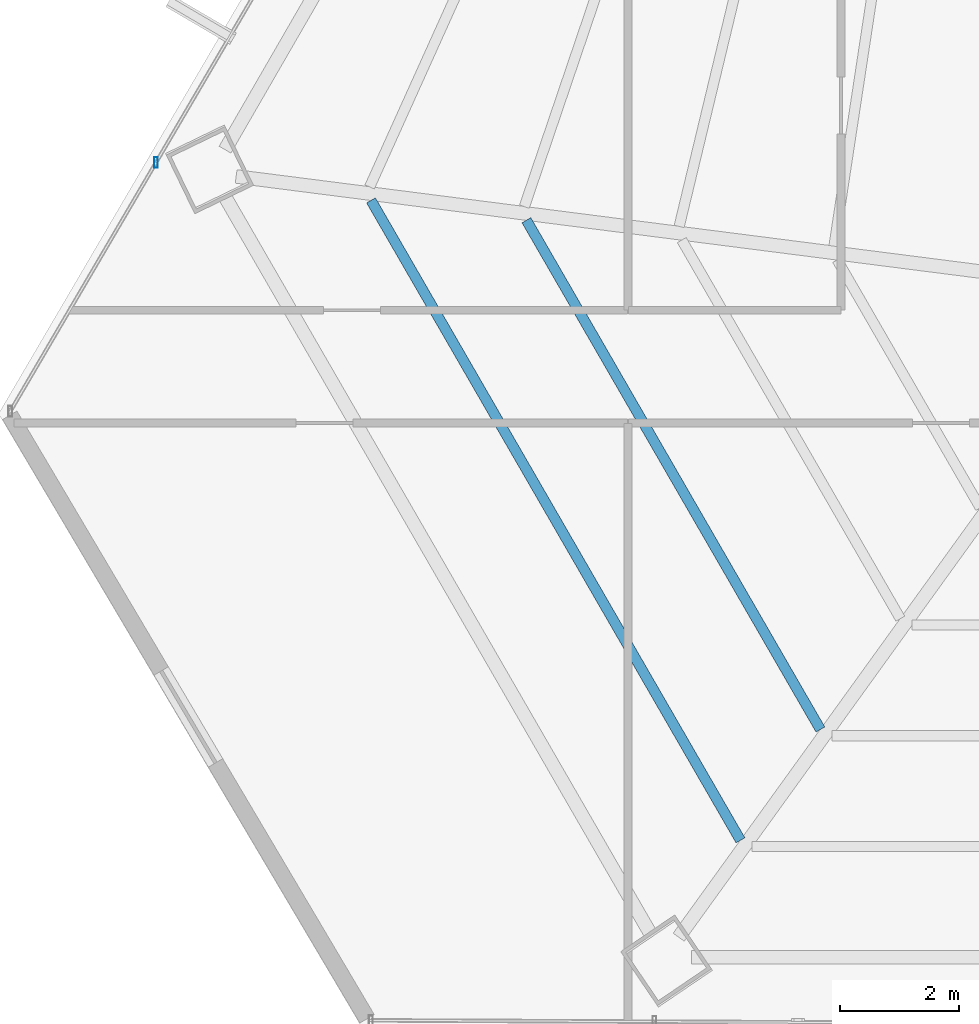
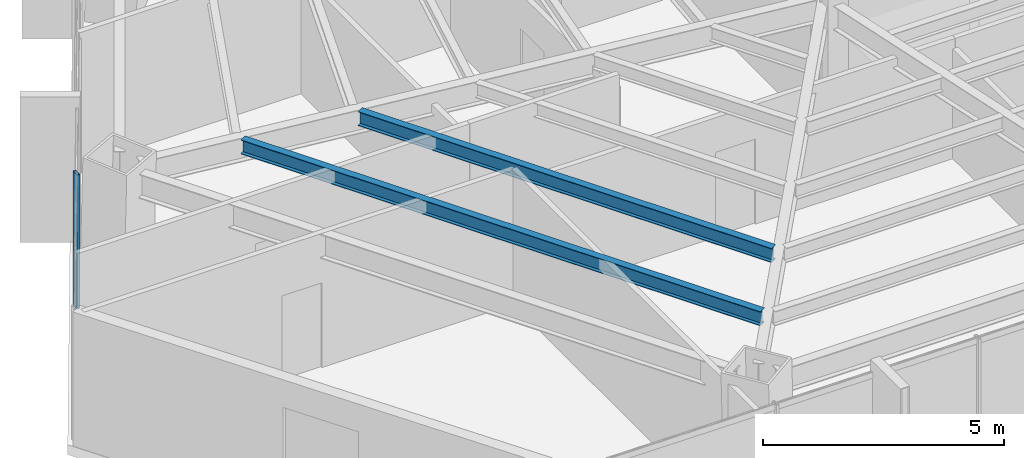
# One storey, part 7 of 35: 2 beams, 1 member, 1 element without a shape of its own.
"""IFC4 building model written with IfcOpenShell, lengths in metres."""

from ifc_helpers import new_model, si_unit, direction, frame, origin, origin_2d, place, context, subcontext, project, spatial, hollow_rectangle, i_section, extrude, source, transform, mapped, material, material_profile, profile_set, type_object, type_shapes, element, aggregate, save


model = new_model("IFC4")

# Units and contexts
model_context = context("Model", 3, precision=1e-05, world=origin(), true_north=direction((0.0, 1.0)))
body_context = subcontext(model_context, "Body", "Model", "MODEL_VIEW")
ifc_project = project(units=[si_unit("LENGTHUNIT", "METRE"), si_unit("AREAUNIT", "SQUARE_METRE"), si_unit("VOLUMEUNIT", "CUBIC_METRE"), si_unit("PLANEANGLEUNIT", "RADIAN"), si_unit("MASSUNIT", "GRAM", prefix="KILO")], contexts=[model_context])

# Site, building, storey
site_placement = place(None, origin())
site = spatial("IfcSite", under=ifc_project, at=site_placement, CompositionType="ELEMENT")
building_placement = place(site_placement, origin())
building = spatial("IfcBuilding", under=site, at=building_placement, Name="Caelisora Broadcast Tower", CompositionType="ELEMENT")
storey_placement = place(building_placement, frame((0.0, 0.0, 94.449951171875)))
storey = spatial("IfcBuildingStorey", under=building, at=storey_placement, Name="L24", CompositionType="ELEMENT", Elevation=94.449951171875)

# Beams
ifc_material_1 = material(Name="Steel Grade 350 (AS/NZS 3679.1)", Category="steel")
ifc_material_profile_1 = material_profile(ifc_material_1, i_section(OverallWidth=0.172119140625, OverallDepth=0.358642578125, WebThickness=0.008056640625, FlangeThickness=0.012939453125, at=origin_2d()), Name="Steel Grade 350 (AS/NZS 3679.1)")
ifc_profile_set_1 = profile_set([ifc_material_profile_1], Name="Steel Grade 350 (AS/NZS 3679.1)")
beam_type = type_object("IfcBeamType", Name="SB02", PredefinedType="JOIST", material=ifc_profile_set_1)
shared_shape_1 = source(origin(), body_context, "Body", "SweptSolid", [
    extrude(i_section(OverallWidth=0.172119140625, OverallDepth=0.358642578125, WebThickness=0.008056640625, FlangeThickness=0.012939453125, at=origin_2d()), origin(), (0.0, 0.0, 1.0), 9.907470703125),
])
beam_1_placement = place(storey_placement, frame((20.097412109375, 18.61669921875, 3.220703125), z_axis=(0.49999264683, -0.866029649098, 0.0), x_axis=(0.866029649098, 0.49999264683, 0.0)))
element("IfcBeam", 1, at=beam_1_placement, inside=storey, type_object=beam_type, Name="L24 beam SB02", PredefinedType="JOIST", context=body_context, shape_type="MappedRepresentation", body=[
    mapped(shared_shape_1, transform((0.0, 0.0, 0.0), scale=1.0)),
])
shared_shape_2 = source(origin(), body_context, "Body", "SweptSolid", [
    extrude(i_section(OverallWidth=0.172119140625, OverallDepth=0.358642578125, WebThickness=0.008056640625, FlangeThickness=0.012939453125, at=origin_2d()), origin(), (0.0, 0.0, 1.0), 12.4501953125),
])
type_shapes(beam_type, [shared_shape_1, shared_shape_2])
beam_2_placement = place(storey_placement, frame((17.47900390625, 18.951416015625, 3.220703125), z_axis=(0.499998569178, -0.866026229868, 0.0), x_axis=(0.866026229868, 0.499998569178, 0.0)))
element("IfcBeam", 2, at=beam_2_placement, inside=storey, type_object=beam_type, Name="L24 beam SB02", PredefinedType="JOIST", context=body_context, shape_type="MappedRepresentation", body=[
    mapped(shared_shape_2, transform((0.0, 0.0, 0.0), scale=1.0)),
])

# Curtain wall, member
ifc_material_2 = material(Name="Unitised Aluminium and Low-E Glass Curtain Wall", Category="glass")
curtain_wall_type = type_object("IfcCurtainWallType", Name="CW-Z2", PredefinedType="NOTDEFINED", material=ifc_material_2)
curtain_wall_placement = place(storey_placement, origin())
curtain_wall = element("IfcCurtainWall", 3, at=curtain_wall_placement, inside=storey, type_object=curtain_wall_type, Name="L24 curtain wall CW-Z2", PredefinedType="NOTDEFINED")
ifc_material_3 = material(Name="Aluminium 6063-T6 Anodised Terracotta Bronze", Category="aluminium")
ifc_material_profile_2 = material_profile(ifc_material_3, hollow_rectangle(XDim=0.06494140625, YDim=0.179931640625, WallThickness=0.00341796875, at=origin_2d()), Name="Aluminium 6063-T6 Anodised Terracotta Bronze")
ifc_profile_set_2 = profile_set([ifc_material_profile_2], Name="Aluminium 6063-T6 Anodised Terracotta Bronze")
member_type = type_object("IfcMemberType", Name="CWM-02", PredefinedType="MULLION", material=ifc_profile_set_2)
shared_shape_3 = source(origin(), body_context, "Body", "SweptSolid", [
    extrude(hollow_rectangle(XDim=0.06494140625, YDim=0.179931640625, WallThickness=0.00341796875, at=origin_2d()), origin(), (0.0, 0.0, 1.0), 3.400146484375),
])
type_shapes(member_type, [shared_shape_3])
member_placement = place(storey_placement, frame((13.85791015625, 19.589599609375, 0.0), z_axis=(0.0, 0.0, 1.0), x_axis=(1.0, 0.0, 0.0)))
member = element("IfcMember", 4, at=member_placement, type_object=member_type, Name="L24-CW-B09 mullion #1", PredefinedType="MULLION", context=body_context, shape_type="MappedRepresentation", body=[
    mapped(shared_shape_3, transform((0.0, 0.0, 0.0), scale=1.0)),
])
aggregate(curtain_wall, [member])

save(model, "model.ifc")
